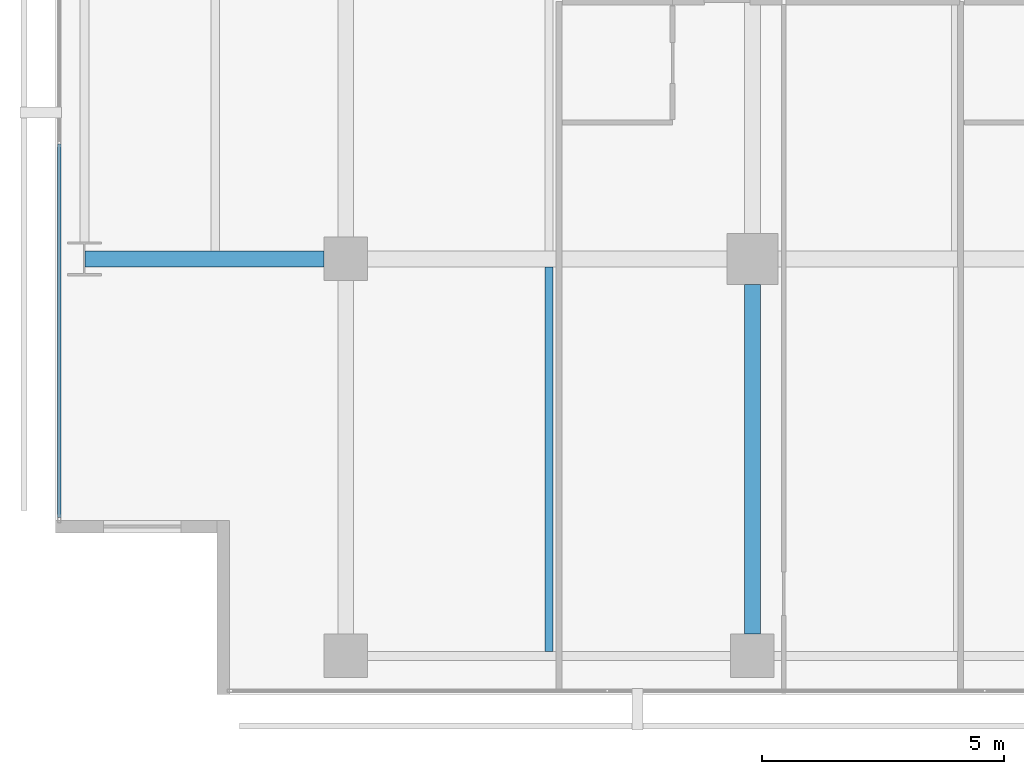
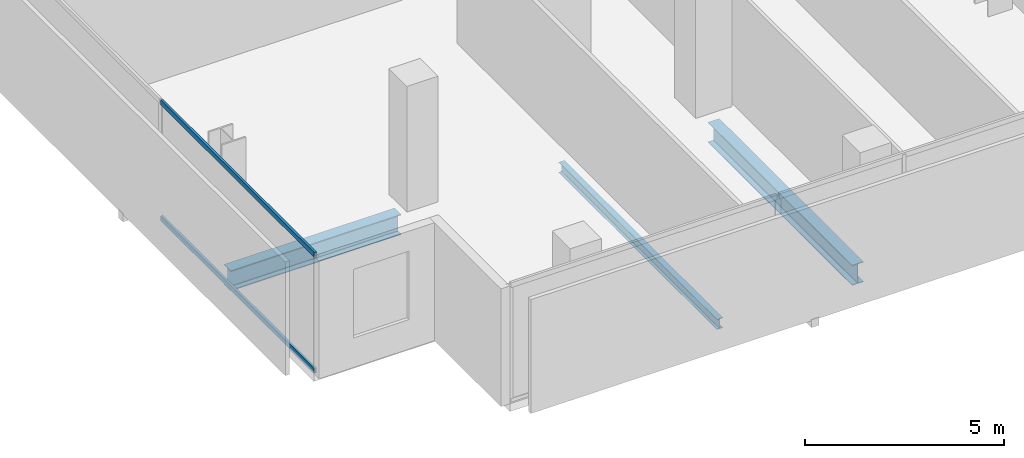
# One storey, part 4 of 40: 3 beams, 2 members, 1 element without a shape of its own.
"""IFC4 building model written with IfcOpenShell, lengths in metres."""

from ifc_helpers import new_model, si_unit, direction, frame, origin, origin_2d, place, context, subcontext, project, spatial, hollow_rectangle, i_section, extrude, material, layer, layer_set, material_profile, profile_set, type_object, element, aggregate, save


model = new_model("IFC4")

# Units and contexts
model_context = context("Model", 3, precision=1e-05, world=origin(), true_north=direction((0.0, 1.0)))
body_context = subcontext(model_context, "Body", "Model", "MODEL_VIEW")
ifc_project = project(units=[si_unit("LENGTHUNIT", "METRE"), si_unit("AREAUNIT", "SQUARE_METRE"), si_unit("VOLUMEUNIT", "CUBIC_METRE"), si_unit("PLANEANGLEUNIT", "RADIAN"), si_unit("MASSUNIT", "GRAM", prefix="KILO")], contexts=[model_context])

# Site, building, storey
site_placement = place(None, origin())
site = spatial("IfcSite", under=ifc_project, at=site_placement, CompositionType="ELEMENT")
building_placement = place(site_placement, origin())
building = spatial("IfcBuilding", under=site, at=building_placement, Name="Maruvema Waterfront Hotel and Observation Tower", CompositionType="ELEMENT")
storey_placement = place(building_placement, frame((0.0, 0.0, 42.35009765625)))
storey = spatial("IfcBuildingStorey", under=building, at=storey_placement, Name="L09", CompositionType="ELEMENT", Elevation=42.35009765625)

# Curtain wall, members
ifc_material_1 = material(Name="Anodised bronze aluminium and solar-control low-E IGU", Category="aluminium")
ifc_layer = layer(ifc_material_1, 0.159912109375, Name="Zone 1 Bronze Inner Thermal Curtain Wall System CW-02")
ifc_layer_set = layer_set([ifc_layer], Name="Anodised bronze aluminium and solar-control low-E IGU")
curtain_wall_type = type_object("IfcCurtainWallType", Name="Zone 1 Bronze Inner Thermal Curtain Wall System CW-02", PredefinedType="USERDEFINED", material=ifc_layer_set)
curtain_wall_placement = place(storey_placement, origin())
curtain_wall = element("IfcCurtainWall", 1, at=curtain_wall_placement, inside=storey, type_object=curtain_wall_type, Name="L09 Curtain Wall CW-L09-W", ObjectType="UNITISED CURTAIN WALL", PredefinedType="USERDEFINED")
ifc_material_2 = material(Name="Anodised architectural bronze aluminium", Category="aluminium")
ifc_material_profile_1 = material_profile(ifc_material_2, hollow_rectangle(XDim=0.070068359375, YDim=0.14990234375, WallThickness=0.00390625, at=origin_2d()), Name="ALU-T70x150")
ifc_profile_set_1 = profile_set([ifc_material_profile_1], Name="Anodised architectural bronze aluminium")
member_type = type_object("IfcMemberType", Name="Curtain Wall Horizontal Transom ALU-T70x150", PredefinedType="USERDEFINED", material=ifc_profile_set_1)
member_1_placement = place(storey_placement, frame((10.8798828125, 11.3701171875, 0.02978515625), z_axis=(0.0, -1.0, 0.0), x_axis=(1.0, 0.0, 0.0)))
member_1 = element("IfcMember", 2, at=member_1_placement, type_object=member_type, Name="CW-02 transom 6.1", ObjectType="TRANSOM", PredefinedType="USERDEFINED", context=body_context, shape_type="SweptSolid", body=[
    extrude(hollow_rectangle(XDim=0.070068359375, YDim=0.14990234375, WallThickness=0.00390625, at=origin_2d()), origin(), (0.0, 0.0, 1.0), 7.710205078125),
])
member_2_placement = place(storey_placement, frame((10.8798828125, 11.3701171875, 3.579833984375), z_axis=(0.0, -1.0, 0.0), x_axis=(1.0, 0.0, 0.0)))
member_2 = element("IfcMember", 3, at=member_2_placement, type_object=member_type, Name="CW-02 transom 6.2", ObjectType="TRANSOM", PredefinedType="USERDEFINED", context=body_context, shape_type="SweptSolid", body=[
    extrude(hollow_rectangle(XDim=0.070068359375, YDim=0.14990234375, WallThickness=0.00390625, at=origin_2d()), origin(), (0.0, 0.0, 1.0), 7.710205078125),
])
aggregate(curtain_wall, [member_1, member_2])

# Beams
ifc_material_3 = material(Name="Steel ASTM A572 Grade 50", Category="steel")
ifc_material_profile_2 = material_profile(ifc_material_3, i_section(OverallWidth=0.326904296875, OverallDepth=0.6220703125, WebThickness=0.015380859375, FlangeThickness=0.0244140625, FilletRadius=0.01806640625, at=origin_2d()), Name="W610x195.0")
ifc_profile_set_2 = profile_set([ifc_material_profile_2], Name="Steel ASTM A572 Grade 50")
beam_type_1 = type_object("IfcBeamType", Name="Primary Floor Girder W610x195.0", PredefinedType="BEAM", material=ifc_profile_set_2)
beam_1_placement = place(storey_placement, frame((11.4140625, 9.0, -0.551025390625), z_axis=(1.0, 0.0, 0.0), x_axis=(0.0, 1.0, 0.0)))
element("IfcBeam", 4, at=beam_1_placement, inside=storey, type_object=beam_type_1, Name="L09 Floor Girder EW-06", PredefinedType="BEAM", context=body_context, shape_type="SweptSolid", body=[
    extrude(i_section(OverallWidth=0.326904296875, OverallDepth=0.6220703125, WebThickness=0.015380859375, FlangeThickness=0.0244140625, FilletRadius=0.01806640625, at=origin_2d()), origin(), (0.0, 0.0, 1.0), 4.93603515625),
])
beam_2_placement = place(storey_placement, frame((25.199951171875, 1.25, -0.551025390625), z_axis=(0.0, 1.0, 0.0), x_axis=(-1.0, 0.0, 0.0)))
element("IfcBeam", 5, at=beam_2_placement, inside=storey, type_object=beam_type_1, Name="L09 Floor Girder NS-11", PredefinedType="BEAM", context=body_context, shape_type="SweptSolid", body=[
    extrude(i_section(OverallWidth=0.326904296875, OverallDepth=0.6220703125, WebThickness=0.015380859375, FlangeThickness=0.0244140625, FilletRadius=0.01806640625, at=origin_2d()), origin(), (0.0, 0.0, 1.0), 7.22509765625),
])
ifc_material_4 = material(Name="Steel ASTM A572 Grade 50", Category="steel")
ifc_material_profile_3 = material_profile(ifc_material_4, i_section(OverallWidth=0.1669921875, OverallDepth=0.31689453125, WebThickness=0.007568359375, FlangeThickness=0.01318359375, FilletRadius=0.012939453125, at=origin_2d()), Name="W310x52.0")
ifc_profile_set_3 = profile_set([ifc_material_profile_3], Name="Steel ASTM A572 Grade 50")
beam_type_2 = type_object("IfcBeamType", Name="Secondary Floor Joist W310x52.0", PredefinedType="JOIST", material=ifc_profile_set_3)
beam_3_placement = place(storey_placement, frame((21.0, 0.89501953125, -0.398681640625), z_axis=(0.0, 1.0, 0.0), x_axis=(-1.0, 0.0, 0.0)))
element("IfcBeam", 6, at=beam_3_placement, inside=storey, type_object=beam_type_2, Name="L09 Secondary Floor Joist JS-05", PredefinedType="JOIST", context=body_context, shape_type="SweptSolid", body=[
    extrude(i_section(OverallWidth=0.1669921875, OverallDepth=0.31689453125, WebThickness=0.007568359375, FlangeThickness=0.01318359375, FilletRadius=0.012939453125, at=origin_2d()), origin(), (0.0, 0.0, 1.0), 7.94140625),
])

save(model, "model.ifc")
